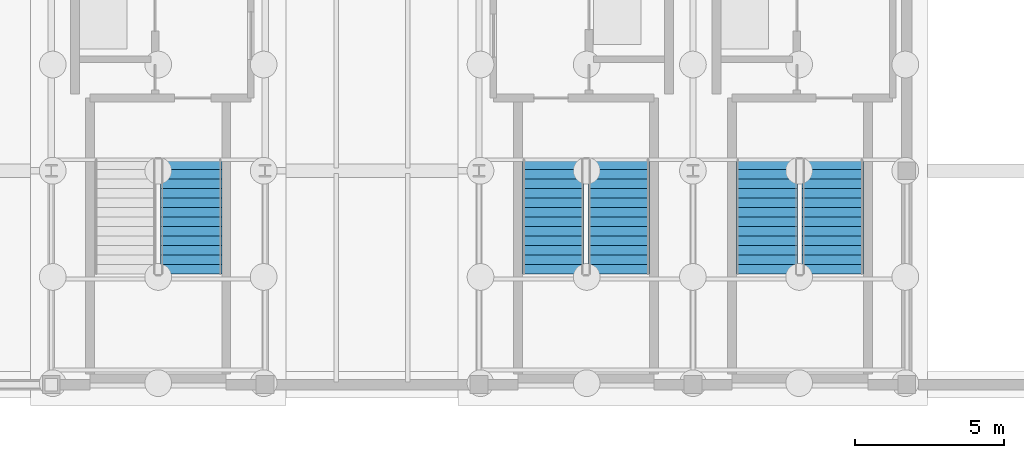
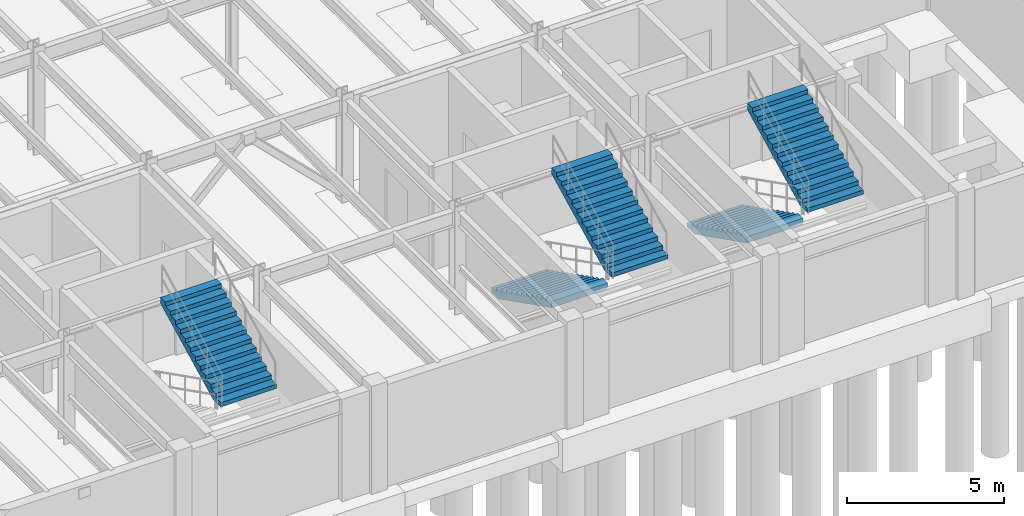
# One storey, part 39 of 46: 5 stair flights, 3 elements without a shape of their own.
"""IFC4 building model written with IfcOpenShell, lengths in metres."""

from ifc_helpers import new_model, si_unit, direction, frame, origin, place, context, subcontext, project, spatial, polyline, outline, extrude, material, type_object, element, aggregate, save


model = new_model("IFC4")

# Units and contexts
model_context = context("Model", 3, precision=1e-05, world=origin(), true_north=direction((0.0, 1.0)))
body_context = subcontext(model_context, "Body", "Model", "MODEL_VIEW")
ifc_project = project(units=[si_unit("LENGTHUNIT", "METRE"), si_unit("AREAUNIT", "SQUARE_METRE"), si_unit("VOLUMEUNIT", "CUBIC_METRE"), si_unit("PLANEANGLEUNIT", "RADIAN"), si_unit("MASSUNIT", "GRAM", prefix="KILO")], contexts=[model_context])

# Site, building, storey
site_placement = place(None, origin())
site = spatial("IfcSite", under=ifc_project, at=site_placement, CompositionType="ELEMENT")
building_placement = place(site_placement, origin())
building = spatial("IfcBuilding", under=site, at=building_placement, Name="Sillqori Civic Hall", CompositionType="ELEMENT")
storey_placement = place(building_placement, frame((0.0, 0.0, -4.199951171875)))
storey = spatial("IfcBuildingStorey", under=building, at=storey_placement, Name="B01", CompositionType="ELEMENT", Elevation=-4.199951171875)

# Stair, stair flight
ifc_material = material(Name="Concrete C35/45 (H35)", Category="concrete")
stair_type_1 = type_object("IfcStairType", Name="STR-CORE-06", PredefinedType="DOUBLE_RETURN_STAIR", material=ifc_material)
stair_1_placement = place(storey_placement, origin())
stair_1 = element("IfcStair", 1, at=stair_1_placement, inside=storey, type_object=stair_type_1, Name="B01 Core exit stair ST-06", PredefinedType="DOUBLE_RETURN_STAIR")
stair_flight_type = type_object("IfcStairFlightType", Name="SFL-CORE-220", PredefinedType="STRAIGHT", material=ifc_material)
stair_flight_1_placement = place(storey_placement, frame((69.510009765625, 82.929931640625, 2.099853515625), z_axis=(0.0, 0.0, 1.0), x_axis=(0.0, 1.0, 0.0)))
stair_flight_1 = element("IfcStairFlight", 2, at=stair_flight_1_placement, type_object=stair_flight_type, Name="ST-06 flight 2", NumberOfRisers=13, NumberOfTreads=12, PredefinedType="STRAIGHT", RiserHeight=0.161538462, TreadLength=0.32, context=body_context, shape_type="SweptSolid", body=[
    extrude(outline(polyline([(0.0, 0.0), (0.0, 0.16162109375), (0.320068359375, 0.16162109375), (0.320068359375, 0.322998046875), (0.639892578125, 0.322998046875), (0.639892578125, 0.484619140625), (0.9599609375, 0.484619140625), (0.9599609375, 0.646240234375), (1.280029296875, 0.646240234375), (1.280029296875, 0.8076171875), (1.60009765625, 0.8076171875), (1.60009765625, 0.96923828125), (1.919921875, 0.96923828125), (1.919921875, 1.130859375), (2.239990234375, 1.130859375), (2.239990234375, 1.292236328125), (2.56005859375, 1.292236328125), (2.56005859375, 1.453857421875), (2.8798828125, 1.453857421875), (2.8798828125, 1.615478515625), (3.199951171875, 1.615478515625), (3.199951171875, 1.77685546875), (3.52001953125, 1.77685546875), (3.52001953125, 1.9384765625), (3.840087890625, 1.9384765625), (3.840087890625, 2.10009765625), (3.840087890625, 1.692138671875), (0.488037109375, 0.0), (0.0, 0.0)])), frame((0.0, 1.030029296875, 0.0), z_axis=(0.0, -1.0, 0.0), x_axis=(1.0, 0.0, 0.0)), (0.0, 0.0, 1.0), 2.06005859375),
])
aggregate(stair_1, [stair_flight_1])

# Stair, stair flights
stair_type_2 = type_object("IfcStairType", Name="STR-CORE-07", PredefinedType="DOUBLE_RETURN_STAIR", material=ifc_material)
stair_2_placement = place(storey_placement, origin())
stair_2 = element("IfcStair", 3, at=stair_2_placement, inside=storey, type_object=stair_type_2, Name="B01 Core exit stair ST-07", PredefinedType="DOUBLE_RETURN_STAIR")
stair_flight_2_placement = place(storey_placement, frame((81.68994140625, 86.77001953125, 0.0), z_axis=(0.0, 0.0, 1.0), x_axis=(0.0, -1.0, 0.0)))
stair_flight_2 = element("IfcStairFlight", 4, at=stair_flight_2_placement, type_object=stair_flight_type, Name="ST-07 flight 1", NumberOfRisers=13, NumberOfTreads=12, PredefinedType="STRAIGHT", RiserHeight=0.161538462, TreadLength=0.32, context=body_context, shape_type="SweptSolid", body=[
    extrude(outline(polyline([(0.0, 0.0), (0.0, 0.16162109375), (0.320068359375, 0.16162109375), (0.320068359375, 0.322998046875), (0.639892578125, 0.322998046875), (0.639892578125, 0.484619140625), (0.9599609375, 0.484619140625), (0.9599609375, 0.646240234375), (1.280029296875, 0.646240234375), (1.280029296875, 0.8076171875), (1.60009765625, 0.8076171875), (1.60009765625, 0.96923828125), (1.919921875, 0.96923828125), (1.919921875, 1.130859375), (2.239990234375, 1.130859375), (2.239990234375, 1.292236328125), (2.56005859375, 1.292236328125), (2.56005859375, 1.453857421875), (2.8798828125, 1.453857421875), (2.8798828125, 1.615478515625), (3.199951171875, 1.615478515625), (3.199951171875, 1.77685546875), (3.52001953125, 1.77685546875), (3.52001953125, 1.9384765625), (3.840087890625, 1.9384765625), (3.840087890625, 2.10009765625), (3.840087890625, 1.692138671875), (0.488037109375, 0.0), (0.0, 0.0)])), frame((0.0, 1.030029296875, 0.0), z_axis=(0.0, -1.0, 0.0), x_axis=(1.0, 0.0, 0.0)), (0.0, 0.0, 1.0), 2.06005859375),
])
stair_flight_3_placement = place(storey_placement, frame((83.909912109375, 82.929931640625, 2.099853515625), z_axis=(0.0, 0.0, 1.0), x_axis=(0.0, 1.0, 0.0)))
stair_flight_3 = element("IfcStairFlight", 5, at=stair_flight_3_placement, type_object=stair_flight_type, Name="ST-07 flight 2", NumberOfRisers=13, NumberOfTreads=12, PredefinedType="STRAIGHT", RiserHeight=0.161538462, TreadLength=0.32, context=body_context, shape_type="SweptSolid", body=[
    extrude(outline(polyline([(0.0, 0.0), (0.0, 0.16162109375), (0.320068359375, 0.16162109375), (0.320068359375, 0.322998046875), (0.639892578125, 0.322998046875), (0.639892578125, 0.484619140625), (0.9599609375, 0.484619140625), (0.9599609375, 0.646240234375), (1.280029296875, 0.646240234375), (1.280029296875, 0.8076171875), (1.60009765625, 0.8076171875), (1.60009765625, 0.96923828125), (1.919921875, 0.96923828125), (1.919921875, 1.130859375), (2.239990234375, 1.130859375), (2.239990234375, 1.292236328125), (2.56005859375, 1.292236328125), (2.56005859375, 1.453857421875), (2.8798828125, 1.453857421875), (2.8798828125, 1.615478515625), (3.199951171875, 1.615478515625), (3.199951171875, 1.77685546875), (3.52001953125, 1.77685546875), (3.52001953125, 1.9384765625), (3.840087890625, 1.9384765625), (3.840087890625, 2.10009765625), (3.840087890625, 1.692138671875), (0.488037109375, 0.0), (0.0, 0.0)])), frame((0.0, 1.030029296875, 0.0), z_axis=(0.0, -1.0, 0.0), x_axis=(1.0, 0.0, 0.0)), (0.0, 0.0, 1.0), 2.06005859375),
])
aggregate(stair_2, [stair_flight_2, stair_flight_3])

stair_type_3 = type_object("IfcStairType", Name="STR-CORE-08", PredefinedType="DOUBLE_RETURN_STAIR", material=ifc_material)
stair_3_placement = place(storey_placement, origin())
stair_3 = element("IfcStair", 6, at=stair_3_placement, inside=storey, type_object=stair_type_3, Name="B01 Core exit stair ST-08", PredefinedType="DOUBLE_RETURN_STAIR")
stair_flight_4_placement = place(storey_placement, frame((88.889892578125, 86.77001953125, 0.0), z_axis=(0.0, 0.0, 1.0), x_axis=(0.0, -1.0, 0.0)))
stair_flight_4 = element("IfcStairFlight", 7, at=stair_flight_4_placement, type_object=stair_flight_type, Name="ST-08 flight 1", NumberOfRisers=13, NumberOfTreads=12, PredefinedType="STRAIGHT", RiserHeight=0.161538462, TreadLength=0.32, context=body_context, shape_type="SweptSolid", body=[
    extrude(outline(polyline([(0.0, 0.0), (0.0, 0.16162109375), (0.320068359375, 0.16162109375), (0.320068359375, 0.322998046875), (0.639892578125, 0.322998046875), (0.639892578125, 0.484619140625), (0.9599609375, 0.484619140625), (0.9599609375, 0.646240234375), (1.280029296875, 0.646240234375), (1.280029296875, 0.8076171875), (1.60009765625, 0.8076171875), (1.60009765625, 0.96923828125), (1.919921875, 0.96923828125), (1.919921875, 1.130859375), (2.239990234375, 1.130859375), (2.239990234375, 1.292236328125), (2.56005859375, 1.292236328125), (2.56005859375, 1.453857421875), (2.8798828125, 1.453857421875), (2.8798828125, 1.615478515625), (3.199951171875, 1.615478515625), (3.199951171875, 1.77685546875), (3.52001953125, 1.77685546875), (3.52001953125, 1.9384765625), (3.840087890625, 1.9384765625), (3.840087890625, 2.10009765625), (3.840087890625, 1.692138671875), (0.488037109375, 0.0), (0.0, 0.0)])), frame((0.0, 1.030029296875, 0.0), z_axis=(0.0, -1.0, 0.0), x_axis=(1.0, 0.0, 0.0)), (0.0, 0.0, 1.0), 2.06005859375),
])
stair_flight_5_placement = place(storey_placement, frame((91.110107421875, 82.929931640625, 2.099853515625), z_axis=(0.0, 0.0, 1.0), x_axis=(0.0, 1.0, 0.0)))
stair_flight_5 = element("IfcStairFlight", 8, at=stair_flight_5_placement, type_object=stair_flight_type, Name="ST-08 flight 2", NumberOfRisers=13, NumberOfTreads=12, PredefinedType="STRAIGHT", RiserHeight=0.161538462, TreadLength=0.32, context=body_context, shape_type="SweptSolid", body=[
    extrude(outline(polyline([(0.0, 0.0), (0.0, 0.16162109375), (0.320068359375, 0.16162109375), (0.320068359375, 0.322998046875), (0.639892578125, 0.322998046875), (0.639892578125, 0.484619140625), (0.9599609375, 0.484619140625), (0.9599609375, 0.646240234375), (1.280029296875, 0.646240234375), (1.280029296875, 0.8076171875), (1.60009765625, 0.8076171875), (1.60009765625, 0.96923828125), (1.919921875, 0.96923828125), (1.919921875, 1.130859375), (2.239990234375, 1.130859375), (2.239990234375, 1.292236328125), (2.56005859375, 1.292236328125), (2.56005859375, 1.453857421875), (2.8798828125, 1.453857421875), (2.8798828125, 1.615478515625), (3.199951171875, 1.615478515625), (3.199951171875, 1.77685546875), (3.52001953125, 1.77685546875), (3.52001953125, 1.9384765625), (3.840087890625, 1.9384765625), (3.840087890625, 2.10009765625), (3.840087890625, 1.692138671875), (0.488037109375, 0.0), (0.0, 0.0)])), frame((0.0, 1.030029296875, 0.0), z_axis=(0.0, -1.0, 0.0), x_axis=(1.0, 0.0, 0.0)), (0.0, 0.0, 1.0), 2.06005859375),
])
aggregate(stair_3, [stair_flight_4, stair_flight_5])

save(model, "model.ifc")
